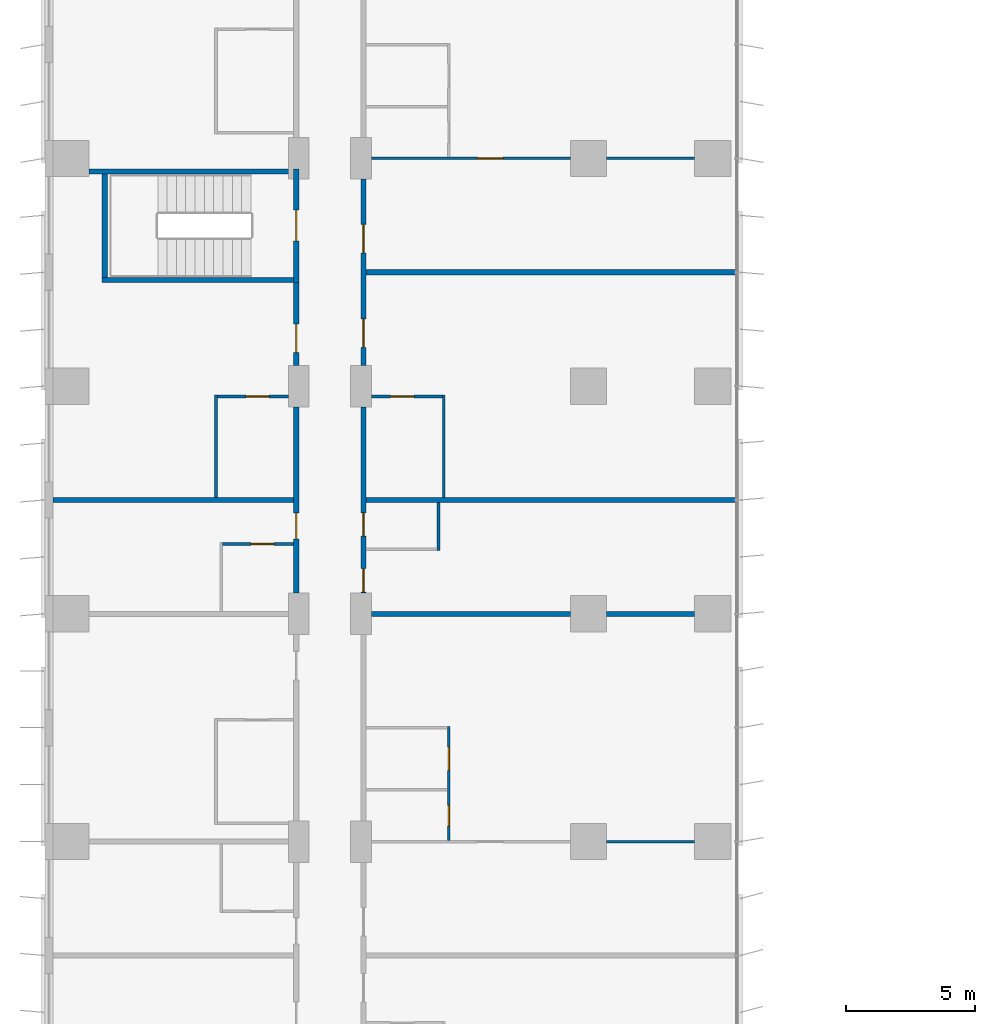
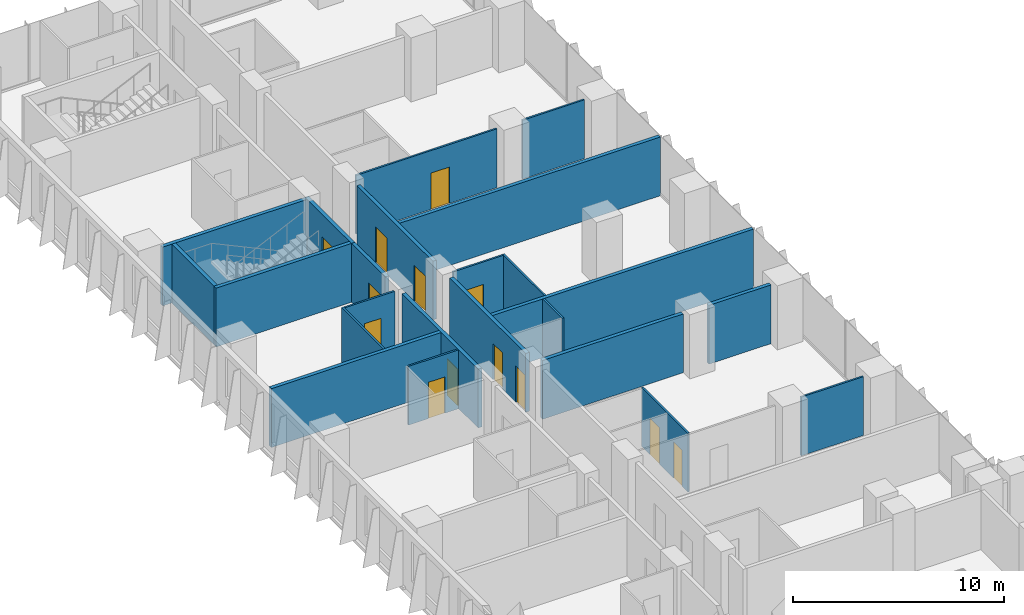
# One storey, part 17 of 24: 23 walls, 13 doors, 13 openings.
"""IFC4 building model written with IfcOpenShell, lengths in metres."""

from ifc_helpers import new_model, si_unit, direction, frame, frame_2d, origin, place, context, subcontext, project, spatial, rectangle, extrude, material, layer, layer_set, type_object, element, fill, save


model = new_model("IFC4")

# Units and contexts
model_context = context("Model", 3, precision=1e-05, world=origin(), true_north=direction((0.0, 1.0)))
body_context = subcontext(model_context, "Body", "Model", "MODEL_VIEW")
ifc_project = project(units=[si_unit("LENGTHUNIT", "METRE"), si_unit("AREAUNIT", "SQUARE_METRE"), si_unit("VOLUMEUNIT", "CUBIC_METRE"), si_unit("PLANEANGLEUNIT", "RADIAN"), si_unit("MASSUNIT", "GRAM", prefix="KILO")], contexts=[model_context])

# Site, building, storey
site_placement = place(None, origin())
site = spatial("IfcSite", under=ifc_project, at=site_placement, CompositionType="ELEMENT")
building_placement = place(site_placement, origin())
building = spatial("IfcBuilding", under=site, at=building_placement, Name="Kemantara Hotel Tower", CompositionType="ELEMENT")
storey_placement = place(building_placement, frame((0.0, 0.0, 45.10009765625)))
storey = spatial("IfcBuildingStorey", under=building, at=storey_placement, Name="L09", CompositionType="ELEMENT", Elevation=45.10009765625)

# Wall, opening, door
ifc_material_1 = material(Name="Gypsum board partition, steel studs and mineral wool, 200 mm", Category="steel")
ifc_layer_1 = layer(ifc_material_1, 0.199951171875)
ifc_layer_set_1 = layer_set([ifc_layer_1], Name="Gypsum board partition, steel studs and mineral wool, 200 mm")
wall_type_1 = type_object("IfcWallType", Name="CORRIDOR WALL 200", PredefinedType="PARTITIONING", material=ifc_layer_set_1)
wall_1_placement = place(storey_placement, frame((9.699951171875, 45.800048828125, 0.0), z_axis=(0.0, 0.0, 1.0), x_axis=(0.0, 1.0, 0.0)))
wall_1 = element("IfcWall", 1, at=wall_1_placement, inside=storey, type_object=wall_type_1, Name="CORRIDOR WALL 200 029", PredefinedType="PARTITIONING", context=body_context, shape_type="SweptSolid", body=[
    extrude(rectangle(XDim=7.199951171875, YDim=0.199951171875, at=frame_2d((3.60009765625, 0.0))), origin(), (0.0, 0.0, 1.0), 3.39990234375),
])
opening_1_placement = place(wall_1_placement, frame((2.099853515625, 0.0, 0.0)))
opening_1 = element("IfcOpeningElement", 2, at=opening_1_placement, cuts=wall_1, Name="Opening F02-037", PredefinedType="OPENING", context=body_context, shape_type="SweptSolid", body=[
    extrude(rectangle(XDim=1.0, YDim=2.10009765625, at=frame_2d((0.5, 1.050048828125))), frame((0.0, 0.10986328125, 0.0), z_axis=(0.0, -1.0, 0.0), x_axis=(1.0, 0.0, 0.0)), (0.0, 0.0, 1.0), 0.219970703125),
])
ifc_material_2 = material(Name="Hardwood veneer door leaf with steel frame", Category="steel")
door_type_1 = type_object("IfcDoorType", Name="GUEST ROOM DOOR 1000 X 2100 FD30S", OperationType="NOTDEFINED", PredefinedType="DOOR", material=ifc_material_2)
door_1_placement = place(opening_1_placement, origin())
door_1 = element("IfcDoor", 3, at=door_1_placement, inside=storey, type_object=door_type_1, Name="GUEST ROOM DOOR F02-037", OperationType="SINGLE_SWING_RIGHT", OverallHeight=2.10009765625, OverallWidth=1.0, PredefinedType="DOOR", context=body_context, shape_type="SweptSolid", body=[
    extrude(rectangle(XDim=1.0, YDim=2.10009765625, at=frame_2d((0.5, 1.050048828125))), frame((0.0, 0.02490234375, 0.0), z_axis=(0.0, -1.0, 0.0), x_axis=(1.0, 0.0, 0.0)), (0.0, 0.0, 1.0), 0.050048828125),
])
fill(opening_1, door_1)

wall_2_placement = place(storey_placement, frame((9.699951171875, 54.60009765625, 0.0), z_axis=(0.0, 0.0, 1.0), x_axis=(0.0, 1.0, 0.0)))
wall_2 = element("IfcWall", 4, at=wall_2_placement, inside=storey, type_object=wall_type_1, Name="CORRIDOR WALL 200 030", PredefinedType="PARTITIONING", context=body_context, shape_type="SweptSolid", body=[
    extrude(rectangle(XDim=3.199951171875, YDim=0.199951171875, at=frame_2d((1.60009765625, 0.0))), origin(), (0.0, 0.0, 1.0), 3.39990234375),
])
opening_2_placement = place(wall_2_placement, frame((0.5, 0.0, 0.0)))
opening_2 = element("IfcOpeningElement", 5, at=opening_2_placement, cuts=wall_2, Name="Opening F02-039", PredefinedType="OPENING", context=body_context, shape_type="SweptSolid", body=[
    extrude(rectangle(XDim=1.10009765625, YDim=2.10009765625, at=frame_2d((0.550048828125, 1.050048828125))), frame((0.0, 0.10986328125, 0.0), z_axis=(0.0, -1.0, 0.0), x_axis=(1.0, 0.0, 0.0)), (0.0, 0.0, 1.0), 0.219970703125),
])
door_type_2 = type_object("IfcDoorType", Name="SUITE ENTRANCE DOOR 1100 X 2100 FD30S", OperationType="NOTDEFINED", PredefinedType="DOOR", material=ifc_material_2)
door_2_placement = place(opening_2_placement, origin())
door_2 = element("IfcDoor", 6, at=door_2_placement, inside=storey, type_object=door_type_2, Name="SUITE ENTRANCE DOOR F02-039", OperationType="SINGLE_SWING_RIGHT", OverallHeight=2.10009765625, OverallWidth=1.10009765625, PredefinedType="DOOR", context=body_context, shape_type="SweptSolid", body=[
    extrude(rectangle(XDim=1.10009765625, YDim=2.10009765625, at=frame_2d((0.550048828125, 1.050048828125))), frame((0.0, 0.02490234375, 0.0), z_axis=(0.0, -1.0, 0.0), x_axis=(1.0, 0.0, 0.0)), (0.0, 0.0, 1.0), 0.050048828125),
])
fill(opening_2, door_2)

# Wall, openings, doors
wall_3_placement = place(storey_placement, frame((12.300048828125, 53.0, 0.0), z_axis=(0.0, 0.0, 1.0), x_axis=(0.0, -1.0, 0.0)))
wall_3 = element("IfcWall", 7, at=wall_3_placement, inside=storey, type_object=wall_type_1, Name="CORRIDOR WALL 200 046", PredefinedType="PARTITIONING", context=body_context, shape_type="SweptSolid", body=[
    extrude(rectangle(XDim=7.199951171875, YDim=0.199951171875, at=frame_2d((3.60009765625, 0.0))), origin(), (0.0, 0.0, 1.0), 3.39990234375),
])
opening_3_placement = place(wall_3_placement, frame((6.25, 0.0, 0.0)))
opening_3 = element("IfcOpeningElement", 8, at=opening_3_placement, cuts=wall_3, Name="Opening F02-051", PredefinedType="OPENING", context=body_context, shape_type="SweptSolid", body=[
    extrude(rectangle(XDim=0.89990234375, YDim=2.10009765625, at=frame_2d((0.449951171875, 1.050048828125))), frame((0.0, 0.10986328125, 0.0), z_axis=(0.0, -1.0, 0.0), x_axis=(1.0, 0.0, 0.0)), (0.0, 0.0, 1.0), 0.219970703125),
])
opening_4_placement = place(wall_3_placement, frame((4.099853515625, 0.0, 0.0)))
opening_4 = element("IfcOpeningElement", 9, at=opening_4_placement, cuts=wall_3, Name="Opening F02-052", PredefinedType="OPENING", context=body_context, shape_type="SweptSolid", body=[
    extrude(rectangle(XDim=0.89990234375, YDim=2.10009765625, at=frame_2d((0.449951171875, 1.050048828125))), frame((0.0, 0.10986328125, 0.0), z_axis=(0.0, -1.0, 0.0), x_axis=(1.0, 0.0, 0.0)), (0.0, 0.0, 1.0), 0.219970703125),
])
ifc_material_3 = material(Name="Steel door leaf with steel frame", Category="steel")
door_type_3 = type_object("IfcDoorType", Name="SERVICE ROOM DOOR 900 X 2100 FD60", OperationType="NOTDEFINED", PredefinedType="DOOR", material=ifc_material_3)
door_3_placement = place(opening_3_placement, origin())
door_3 = element("IfcDoor", 10, at=door_3_placement, inside=storey, type_object=door_type_3, Name="SERVICE ROOM DOOR F02-051", OperationType="SINGLE_SWING_RIGHT", OverallHeight=2.10009765625, OverallWidth=0.89990234375, PredefinedType="DOOR", context=body_context, shape_type="SweptSolid", body=[
    extrude(rectangle(XDim=0.89990234375, YDim=2.10009765625, at=frame_2d((0.449951171875, 1.050048828125))), frame((0.0, 0.02490234375, 0.0), z_axis=(0.0, -1.0, 0.0), x_axis=(1.0, 0.0, 0.0)), (0.0, 0.0, 1.0), 0.050048828125),
])
fill(opening_3, door_3)
door_4_placement = place(opening_4_placement, origin())
door_4 = element("IfcDoor", 11, at=door_4_placement, inside=storey, type_object=door_type_3, Name="SERVICE ROOM DOOR F02-052", OperationType="SINGLE_SWING_LEFT", OverallHeight=2.10009765625, OverallWidth=0.89990234375, PredefinedType="DOOR", context=body_context, shape_type="SweptSolid", body=[
    extrude(rectangle(XDim=0.89990234375, YDim=2.10009765625, at=frame_2d((0.449951171875, 1.050048828125))), frame((0.0, 0.02490234375, 0.0), z_axis=(0.0, -1.0, 0.0), x_axis=(1.0, 0.0, 0.0)), (0.0, 0.0, 1.0), 0.050048828125),
])
fill(opening_4, door_4)

wall_4_placement = place(storey_placement, frame((12.300048828125, 61.7998046875, 0.0), z_axis=(0.0, 0.0, 1.0), x_axis=(0.0, -1.0, 0.0)))
wall_4 = element("IfcWall", 12, at=wall_4_placement, inside=storey, type_object=wall_type_1, Name="CORRIDOR WALL 200 047", PredefinedType="PARTITIONING", context=body_context, shape_type="SweptSolid", body=[
    extrude(rectangle(XDim=7.19970703125, YDim=0.199951171875, at=frame_2d((3.599853515625, 0.0))), origin(), (0.0, 0.0, 1.0), 3.39990234375),
])
opening_5_placement = place(wall_4_placement, frame((5.39990234375, 0.0, 0.0)))
opening_5 = element("IfcOpeningElement", 13, at=opening_5_placement, cuts=wall_4, Name="Opening F02-053", PredefinedType="OPENING", context=body_context, shape_type="SweptSolid", body=[
    extrude(rectangle(XDim=1.10009765625, YDim=2.10009765625, at=frame_2d((0.550048828125, 1.050048828125))), frame((0.0, 0.10986328125, 0.0), z_axis=(0.0, -1.0, 0.0), x_axis=(1.0, 0.0, 0.0)), (0.0, 0.0, 1.0), 0.219970703125),
])
opening_6_placement = place(wall_4_placement, frame((1.75, 0.0, 0.0)))
opening_6 = element("IfcOpeningElement", 14, at=opening_6_placement, cuts=wall_4, Name="Opening F02-055", PredefinedType="OPENING", context=body_context, shape_type="SweptSolid", body=[
    extrude(rectangle(XDim=1.10009765625, YDim=2.10009765625, at=frame_2d((0.550048828125, 1.050048828125))), frame((0.0, 0.10986328125, 0.0), z_axis=(0.0, -1.0, 0.0), x_axis=(1.0, 0.0, 0.0)), (0.0, 0.0, 1.0), 0.219970703125),
])
door_5_placement = place(opening_5_placement, origin())
door_5 = element("IfcDoor", 15, at=door_5_placement, inside=storey, type_object=door_type_2, Name="SUITE ENTRANCE DOOR F02-053", OperationType="SINGLE_SWING_LEFT", OverallHeight=2.10009765625, OverallWidth=1.10009765625, PredefinedType="DOOR", context=body_context, shape_type="SweptSolid", body=[
    extrude(rectangle(XDim=1.10009765625, YDim=2.10009765625, at=frame_2d((0.550048828125, 1.050048828125))), frame((0.0, 0.02490234375, 0.0), z_axis=(0.0, -1.0, 0.0), x_axis=(1.0, 0.0, 0.0)), (0.0, 0.0, 1.0), 0.050048828125),
])
fill(opening_5, door_5)
door_6_placement = place(opening_6_placement, origin())
door_6 = element("IfcDoor", 16, at=door_6_placement, inside=storey, type_object=door_type_2, Name="SUITE ENTRANCE DOOR F02-055", OperationType="SINGLE_SWING_RIGHT", OverallHeight=2.10009765625, OverallWidth=1.10009765625, PredefinedType="DOOR", context=body_context, shape_type="SweptSolid", body=[
    extrude(rectangle(XDim=1.10009765625, YDim=2.10009765625, at=frame_2d((0.550048828125, 1.050048828125))), frame((0.0, 0.02490234375, 0.0), z_axis=(0.0, -1.0, 0.0), x_axis=(1.0, 0.0, 0.0)), (0.0, 0.0, 1.0), 0.050048828125),
])
fill(opening_6, door_6)

# Wall, opening, door
ifc_material_4 = material(Name="Concrete fc 40 MPa", Category="concrete")
ifc_layer_2 = layer(ifc_material_4, 0.199951171875)
ifc_layer_set_2 = layer_set([ifc_layer_2], Name="Concrete fc 40 MPa")
wall_type_2 = type_object("IfcWallType", Name="Concrete stair wall 200 mm", PredefinedType="SHEAR", material=ifc_layer_set_2)
wall_5_placement = place(storey_placement, frame((9.699951171875, 57.800048828125, 0.0), z_axis=(0.0, 0.0, 1.0), x_axis=(0.0, 1.0, 0.0)))
wall_5 = element("IfcWall", 17, at=wall_5_placement, inside=storey, type_object=wall_type_2, Name="Stair ST4 enclosure wall with door", PredefinedType="SHEAR", context=body_context, shape_type="SweptSolid", body=[
    extrude(rectangle(XDim=4.39990234375, YDim=0.199951171875, at=frame_2d((2.199951171875, 0.0))), origin(), (0.0, 0.0, 1.0), 3.39990234375),
])
opening_7_placement = place(wall_5_placement, frame((1.60009765625, 0.0, 0.0)))
opening_7 = element("IfcOpeningElement", 18, at=opening_7_placement, cuts=wall_5, Name="Opening ST4-C", PredefinedType="OPENING", context=body_context, shape_type="SweptSolid", body=[
    extrude(rectangle(XDim=1.199951171875, YDim=2.10009765625, at=frame_2d((0.60009765625, 1.050048828125))), frame((0.0, 0.10986328125, 0.0), z_axis=(0.0, -1.0, 0.0), x_axis=(1.0, 0.0, 0.0)), (0.0, 0.0, 1.0), 0.219970703125),
])
ifc_material_5 = material(Name="Steel fire door", Category="steel")
door_type_4 = type_object("IfcDoorType", Name="Fire door FD90 1200 x 2100", OperationType="NOTDEFINED", PredefinedType="DOOR", material=ifc_material_5)
door_7_placement = place(opening_7_placement, origin())
door_7 = element("IfcDoor", 19, at=door_7_placement, inside=storey, type_object=door_type_4, Name="Stair ST4 door", OperationType="SINGLE_SWING_RIGHT", OverallHeight=2.10009765625, OverallWidth=1.199951171875, PredefinedType="DOOR", context=body_context, shape_type="SweptSolid", body=[
    extrude(rectangle(XDim=1.199951171875, YDim=2.10009765625, at=frame_2d((0.60009765625, 1.050048828125))), frame((0.0, 0.02490234375, 0.0), z_axis=(0.0, -1.0, 0.0), x_axis=(1.0, 0.0, 0.0)), (0.0, 0.0, 1.0), 0.050048828125),
])
fill(opening_7, door_7)

# Walls
wall_6_placement = place(storey_placement, frame((1.699951171875, 62.10009765625, 0.0), z_axis=(0.0, 0.0, 1.0), x_axis=(1.0, 0.0, 0.0)))
element("IfcWall", 20, at=wall_6_placement, inside=storey, type_object=wall_type_2, Name="Stair ST4 enclosure wall N", PredefinedType="SHEAR", context=body_context, shape_type="SweptSolid", body=[
    extrude(rectangle(XDim=7.900146484375, YDim=0.199951171875, at=frame_2d((3.9501953125, 0.0))), origin(), (0.0, 0.0, 1.0), 3.39990234375),
])
wall_7_placement = place(storey_placement, frame((2.199951171875, 57.89990234375, 0.0), z_axis=(0.0, 0.0, 1.0), x_axis=(1.0, 0.0, 0.0)))
element("IfcWall", 21, at=wall_7_placement, inside=storey, type_object=wall_type_2, Name="Stair ST4 enclosure wall S", PredefinedType="SHEAR", context=body_context, shape_type="SweptSolid", body=[
    extrude(rectangle(XDim=7.400146484375, YDim=0.199951171875, at=frame_2d((3.7001953125, 0.0))), origin(), (0.0, 0.0, 1.0), 3.39990234375),
])
wall_8_placement = place(storey_placement, frame((2.300048828125, 58.0, 0.0), z_axis=(0.0, 0.0, 1.0), x_axis=(0.0, 1.0, 0.0)))
element("IfcWall", 22, at=wall_8_placement, inside=storey, type_object=wall_type_2, Name="Stair ST4 enclosure wall W", PredefinedType="SHEAR", context=body_context, shape_type="SweptSolid", body=[
    extrude(rectangle(XDim=4.0, YDim=0.199951171875, at=frame_2d((2.0, 0.0))), origin(), (0.0, 0.0, 1.0), 3.39990234375),
])
ifc_layer_3 = layer(ifc_material_1, 0.199951171875)
ifc_layer_set_3 = layer_set([ifc_layer_3], Name="Gypsum board partition, steel studs and mineral wool, 200 mm")
wall_type_3 = type_object("IfcWallType", Name="GUEST ROOM PARTY WALL 200", PredefinedType="PARTITIONING", material=ifc_layer_set_3)
wall_9_placement = place(storey_placement, frame((12.60009765625, 45.0, 0.0), z_axis=(0.0, 0.0, 1.0), x_axis=(1.0, 0.0, 0.0)))
element("IfcWall", 23, at=wall_9_placement, inside=storey, type_object=wall_type_3, Name="GUEST ROOM PARTY WALL 200 039", PredefinedType="PARTITIONING", context=body_context, shape_type="SweptSolid", body=[
    extrude(rectangle(XDim=7.69970703125, YDim=0.199951171875, at=frame_2d((3.849853515625, 0.0))), origin(), (0.0, 0.0, 1.0), 3.39990234375),
])
wall_10_placement = place(storey_placement, frame((21.7001953125, 45.0, 0.0), z_axis=(0.0, 0.0, 1.0), x_axis=(1.0, 0.0, 0.0)))
element("IfcWall", 24, at=wall_10_placement, inside=storey, type_object=wall_type_3, Name="GUEST ROOM PARTY WALL 200 040", PredefinedType="PARTITIONING", context=body_context, shape_type="SweptSolid", body=[
    extrude(rectangle(XDim=3.399658203125, YDim=0.199951171875, at=frame_2d((1.69970703125, 0.0))), origin(), (0.0, 0.0, 1.0), 3.39990234375),
])
wall_11_placement = place(storey_placement, frame((0.31005859375, 49.39990234375, 0.0), z_axis=(0.0, 0.0, 1.0), x_axis=(1.0, 0.0, 0.0)))
element("IfcWall", 25, at=wall_11_placement, inside=storey, type_object=wall_type_3, Name="GUEST ROOM PARTY WALL 200 041", PredefinedType="PARTITIONING", context=body_context, shape_type="SweptSolid", body=[
    extrude(rectangle(XDim=9.2900390625, YDim=0.199951171875, at=frame_2d((4.64501953125, 0.0))), origin(), (0.0, 0.0, 1.0), 3.39990234375),
])
for number, where, z_axis, x_axis, name in (
    (26, (12.39990234375, 49.39990234375, 0.0), (0.0, 0.0, 1.0), (1.0, 0.0, 0.0), "GUEST ROOM PARTY WALL 200 042"),
    (27, (12.39990234375, 58.199951171875, 0.0), (0.0, 0.0, 1.0), (1.0, 0.0, 0.0), "GUEST ROOM PARTY WALL 200 053"),
):
    element("IfcWall", number, at=place(storey_placement, frame(where, z_axis=z_axis, x_axis=x_axis)), inside=storey, type_object=wall_type_3, Name=name, PredefinedType="PARTITIONING", context=body_context, shape_type="SweptSolid", body=[
        extrude(rectangle(XDim=14.27001953125, YDim=0.199951171875, at=frame_2d((7.135009765625, 0.0))), origin(), (0.0, 0.0, 1.0), 3.39990234375),
    ])
ifc_material_6 = material(Name="Gypsum board partition on steel studs, 100 mm", Category="steel")
ifc_layer_4 = layer(ifc_material_6, 0.10009765625)
ifc_layer_set_4 = layer_set([ifc_layer_4], Name="Gypsum board partition on steel studs, 100 mm")
wall_type_4 = type_object("IfcWallType", Name="ROOM PARTITION 100", PredefinedType="PARTITIONING", material=ifc_layer_set_4)
wall_12_placement = place(storey_placement, frame((6.60009765625, 49.5, 0.0), z_axis=(0.0, 0.0, 1.0), x_axis=(0.0, 1.0, 0.0)))
element("IfcWall", 28, at=wall_12_placement, inside=storey, type_object=wall_type_4, Name="ROOM PARTITION 100 094", PredefinedType="PARTITIONING", context=body_context, shape_type="SweptSolid", body=[
    extrude(rectangle(XDim=3.949951171875, YDim=0.10009765625, at=frame_2d((1.97509765625, 0.0))), origin(), (0.0, 0.0, 1.0), 3.39990234375),
])

# Wall, opening, door
wall_13_placement = place(storey_placement, frame((9.60009765625, 47.699951171875, 0.0), z_axis=(0.0, 0.0, 1.0), x_axis=(-1.0, 0.0, 0.0)))
wall_13 = element("IfcWall", 29, at=wall_13_placement, inside=storey, type_object=wall_type_4, Name="ROOM PARTITION 100 103", PredefinedType="PARTITIONING", context=body_context, shape_type="SweptSolid", body=[
    extrude(rectangle(XDim=2.75, YDim=0.10009765625, at=frame_2d((1.375, 0.0))), origin(), (0.0, 0.0, 1.0), 3.39990234375),
])
opening_8_placement = place(wall_13_placement, frame((0.75, 0.0, 0.0)))
opening_8 = element("IfcOpeningElement", 30, at=opening_8_placement, cuts=wall_13, Name="Opening F02-038", PredefinedType="OPENING", context=body_context, shape_type="SweptSolid", body=[
    extrude(rectangle(XDim=0.89990234375, YDim=2.10009765625, at=frame_2d((0.449951171875, 1.050048828125))), frame((0.0, 0.06005859375, 0.0), z_axis=(0.0, -1.0, 0.0), x_axis=(1.0, 0.0, 0.0)), (0.0, 0.0, 1.0), 0.1201171875),
])
door_type_5 = type_object("IfcDoorType", Name="BATHROOM DOOR 900 X 2100", OperationType="NOTDEFINED", PredefinedType="DOOR", material=ifc_material_2)
door_8_placement = place(opening_8_placement, origin())
door_8 = element("IfcDoor", 31, at=door_8_placement, inside=storey, type_object=door_type_5, Name="BATHROOM DOOR F02-038", OperationType="SINGLE_SWING_LEFT", OverallHeight=2.10009765625, OverallWidth=0.89990234375, PredefinedType="DOOR", context=body_context, shape_type="SweptSolid", body=[
    extrude(rectangle(XDim=0.89990234375, YDim=2.10009765625, at=frame_2d((0.449951171875, 1.050048828125))), frame((0.0, 0.02490234375, 0.0), z_axis=(0.0, -1.0, 0.0), x_axis=(1.0, 0.0, 0.0)), (0.0, 0.0, 1.0), 0.050048828125),
])
fill(opening_8, door_8)

wall_14_placement = place(storey_placement, frame((9.39990234375, 53.39990234375, 0.0), z_axis=(0.0, 0.0, 1.0), x_axis=(-1.0, 0.0, 0.0)))
wall_14 = element("IfcWall", 32, at=wall_14_placement, inside=storey, type_object=wall_type_4, Name="ROOM PARTITION 100 104", PredefinedType="PARTITIONING", context=body_context, shape_type="SweptSolid", body=[
    extrude(rectangle(XDim=2.75, YDim=0.10009765625, at=frame_2d((1.375, 0.0))), origin(), (0.0, 0.0, 1.0), 3.39990234375),
])
opening_9_placement = place(wall_14_placement, frame((0.75, 0.0, 0.0)))
opening_9 = element("IfcOpeningElement", 33, at=opening_9_placement, cuts=wall_14, Name="Opening F02-040", PredefinedType="OPENING", context=body_context, shape_type="SweptSolid", body=[
    extrude(rectangle(XDim=0.89990234375, YDim=2.10009765625, at=frame_2d((0.449951171875, 1.050048828125))), frame((0.0, 0.06005859375, 0.0), z_axis=(0.0, -1.0, 0.0), x_axis=(1.0, 0.0, 0.0)), (0.0, 0.0, 1.0), 0.1201171875),
])
door_9_placement = place(opening_9_placement, origin())
door_9 = element("IfcDoor", 34, at=door_9_placement, inside=storey, type_object=door_type_5, Name="BATHROOM DOOR F02-040", OperationType="SINGLE_SWING_LEFT", OverallHeight=2.10009765625, OverallWidth=0.89990234375, PredefinedType="DOOR", context=body_context, shape_type="SweptSolid", body=[
    extrude(rectangle(XDim=0.89990234375, YDim=2.10009765625, at=frame_2d((0.449951171875, 1.050048828125))), frame((0.0, 0.02490234375, 0.0), z_axis=(0.0, -1.0, 0.0), x_axis=(1.0, 0.0, 0.0)), (0.0, 0.0, 1.0), 0.050048828125),
])
fill(opening_9, door_9)

wall_15_placement = place(storey_placement, frame((15.35009765625, 53.39990234375, 0.0), z_axis=(0.0, 0.0, 1.0), x_axis=(-1.0, 0.0, 0.0)))
wall_15 = element("IfcWall", 35, at=wall_15_placement, inside=storey, type_object=wall_type_4, Name="ROOM PARTITION 100 105", PredefinedType="PARTITIONING", context=body_context, shape_type="SweptSolid", body=[
    extrude(rectangle(XDim=2.75, YDim=0.10009765625, at=frame_2d((1.375, 0.0))), origin(), (0.0, 0.0, 1.0), 3.39990234375),
])
opening_10_placement = place(wall_15_placement, frame((1.10009765625, 0.0, 0.0)))
opening_10 = element("IfcOpeningElement", 36, at=opening_10_placement, cuts=wall_15, Name="Opening F02-054", PredefinedType="OPENING", context=body_context, shape_type="SweptSolid", body=[
    extrude(rectangle(XDim=0.89990234375, YDim=2.10009765625, at=frame_2d((0.449951171875, 1.050048828125))), frame((0.0, 0.06005859375, 0.0), z_axis=(0.0, -1.0, 0.0), x_axis=(1.0, 0.0, 0.0)), (0.0, 0.0, 1.0), 0.1201171875),
])
door_10_placement = place(opening_10_placement, origin())
door_10 = element("IfcDoor", 37, at=door_10_placement, inside=storey, type_object=door_type_5, Name="BATHROOM DOOR F02-054", OperationType="SINGLE_SWING_RIGHT", OverallHeight=2.10009765625, OverallWidth=0.89990234375, PredefinedType="DOOR", context=body_context, shape_type="SweptSolid", body=[
    extrude(rectangle(XDim=0.89990234375, YDim=2.10009765625, at=frame_2d((0.449951171875, 1.050048828125))), frame((0.0, 0.02490234375, 0.0), z_axis=(0.0, -1.0, 0.0), x_axis=(1.0, 0.0, 0.0)), (0.0, 0.0, 1.0), 0.050048828125),
])
fill(opening_10, door_10)

# Wall
wall_16_placement = place(storey_placement, frame((15.39990234375, 49.5, 0.0), z_axis=(0.0, 0.0, 1.0), x_axis=(0.0, 1.0, 0.0)))
element("IfcWall", 38, at=wall_16_placement, inside=storey, type_object=wall_type_4, Name="ROOM PARTITION 100 110", PredefinedType="PARTITIONING", context=body_context, shape_type="SweptSolid", body=[
    extrude(rectangle(XDim=3.949951171875, YDim=0.10009765625, at=frame_2d((1.97509765625, 0.0))), origin(), (0.0, 0.0, 1.0), 3.39990234375),
])

# Wall, openings, doors
wall_17_placement = place(storey_placement, frame((15.60009765625, 36.25, 0.0), z_axis=(0.0, 0.0, 1.0), x_axis=(0.0, 1.0, 0.0)))
wall_17 = element("IfcWall", 39, at=wall_17_placement, inside=storey, type_object=wall_type_4, Name="ROOM PARTITION 100 112", PredefinedType="PARTITIONING", context=body_context, shape_type="SweptSolid", body=[
    extrude(rectangle(XDim=4.39990234375, YDim=0.10009765625, at=frame_2d((2.199951171875, 0.0))), origin(), (0.0, 0.0, 1.0), 3.39990234375),
])
opening_11_placement = place(wall_17_placement, frame((2.699951171875, 0.0, 0.0)))
opening_11 = element("IfcOpeningElement", 40, at=opening_11_placement, cuts=wall_17, Name="Opening F02-049", PredefinedType="OPENING", context=body_context, shape_type="SweptSolid", body=[
    extrude(rectangle(XDim=0.89990234375, YDim=2.10009765625, at=frame_2d((0.449951171875, 1.050048828125))), frame((0.0, 0.06005859375, 0.0), z_axis=(0.0, -1.0, 0.0), x_axis=(1.0, 0.0, 0.0)), (0.0, 0.0, 1.0), 0.1201171875),
])
opening_12_placement = place(wall_17_placement, frame((0.550048828125, 0.0, 0.0)))
opening_12 = element("IfcOpeningElement", 41, at=opening_12_placement, cuts=wall_17, Name="Opening F02-050", PredefinedType="OPENING", context=body_context, shape_type="SweptSolid", body=[
    extrude(rectangle(XDim=0.800048828125, YDim=2.10009765625, at=frame_2d((0.39990234375, 1.050048828125))), frame((0.0, 0.06005859375, 0.0), z_axis=(0.0, -1.0, 0.0), x_axis=(1.0, 0.0, 0.0)), (0.0, 0.0, 1.0), 0.1201171875),
])
door_11_placement = place(opening_11_placement, origin())
door_11 = element("IfcDoor", 42, at=door_11_placement, inside=storey, type_object=door_type_5, Name="BATHROOM DOOR F02-049", OperationType="SINGLE_SWING_LEFT", OverallHeight=2.10009765625, OverallWidth=0.89990234375, PredefinedType="DOOR", context=body_context, shape_type="SweptSolid", body=[
    extrude(rectangle(XDim=0.89990234375, YDim=2.10009765625, at=frame_2d((0.449951171875, 1.050048828125))), frame((0.0, 0.02490234375, 0.0), z_axis=(0.0, -1.0, 0.0), x_axis=(1.0, 0.0, 0.0)), (0.0, 0.0, 1.0), 0.050048828125),
])
fill(opening_11, door_11)
door_type_6 = type_object("IfcDoorType", Name="WARDROBE DOOR 800 X 2100", OperationType="NOTDEFINED", PredefinedType="DOOR", material=ifc_material_2)
door_12_placement = place(opening_12_placement, origin())
door_12 = element("IfcDoor", 43, at=door_12_placement, inside=storey, type_object=door_type_6, Name="WARDROBE DOOR F02-050", OperationType="SINGLE_SWING_LEFT", OverallHeight=2.10009765625, OverallWidth=0.800048828125, PredefinedType="DOOR", context=body_context, shape_type="SweptSolid", body=[
    extrude(rectangle(XDim=0.800048828125, YDim=2.10009765625, at=frame_2d((0.39990234375, 1.050048828125))), frame((0.0, 0.02490234375, 0.0), z_axis=(0.0, -1.0, 0.0), x_axis=(1.0, 0.0, 0.0)), (0.0, 0.0, 1.0), 0.050048828125),
])
fill(opening_12, door_12)

# Walls
wall_18_placement = place(storey_placement, frame((21.7001953125, 36.199951171875, 0.0), z_axis=(0.0, 0.0, 1.0), x_axis=(1.0, 0.0, 0.0)))
element("IfcWall", 44, at=wall_18_placement, inside=storey, type_object=wall_type_4, Name="ROOM PARTITION 100 115", PredefinedType="PARTITIONING", context=body_context, shape_type="SweptSolid", body=[
    extrude(rectangle(XDim=3.399658203125, YDim=0.10009765625, at=frame_2d((1.69970703125, 0.0))), origin(), (0.0, 0.0, 1.0), 3.39990234375),
])
wall_19_placement = place(storey_placement, frame((15.199951171875, 47.449951171875, 0.0), z_axis=(0.0, 0.0, 1.0), x_axis=(0.0, 1.0, 0.0)))
element("IfcWall", 45, at=wall_19_placement, inside=storey, type_object=wall_type_4, Name="ROOM PARTITION 100 118", PredefinedType="PARTITIONING", context=body_context, shape_type="SweptSolid", body=[
    extrude(rectangle(XDim=1.85009765625, YDim=0.10009765625, at=frame_2d((0.925048828125, 0.0))), origin(), (0.0, 0.0, 1.0), 3.39990234375),
])

# Wall, opening, door
wall_20_placement = place(storey_placement, frame((12.60009765625, 62.60009765625, 0.0), z_axis=(0.0, 0.0, 1.0), x_axis=(1.0, 0.0, 0.0)))
wall_20 = element("IfcWall", 46, at=wall_20_placement, inside=storey, type_object=wall_type_4, Name="ROOM PARTITION 100 120", PredefinedType="PARTITIONING", context=body_context, shape_type="SweptSolid", body=[
    extrude(rectangle(XDim=7.69970703125, YDim=0.10009765625, at=frame_2d((3.849853515625, 0.0))), origin(), (0.0, 0.0, 1.0), 3.39990234375),
])
opening_13_placement = place(wall_20_placement, frame((4.099853515625, 0.0, 0.0)))
opening_13 = element("IfcOpeningElement", 47, at=opening_13_placement, cuts=wall_20, Name="Opening F02-056", PredefinedType="OPENING", context=body_context, shape_type="SweptSolid", body=[
    extrude(rectangle(XDim=1.0, YDim=2.10009765625, at=frame_2d((0.5, 1.050048828125))), frame((0.0, 0.06005859375, 0.0), z_axis=(0.0, -1.0, 0.0), x_axis=(1.0, 0.0, 0.0)), (0.0, 0.0, 1.0), 0.1201171875),
])
door_type_7 = type_object("IfcDoorType", Name="INTERNAL DOOR 1000 X 2100", OperationType="NOTDEFINED", PredefinedType="DOOR", material=ifc_material_2)
door_13_placement = place(opening_13_placement, origin())
door_13 = element("IfcDoor", 48, at=door_13_placement, inside=storey, type_object=door_type_7, Name="INTERNAL DOOR F02-056", OperationType="SINGLE_SWING_LEFT", OverallHeight=2.10009765625, OverallWidth=1.0, PredefinedType="DOOR", context=body_context, shape_type="SweptSolid", body=[
    extrude(rectangle(XDim=1.0, YDim=2.10009765625, at=frame_2d((0.5, 1.050048828125))), frame((0.0, 0.02490234375, 0.0), z_axis=(0.0, -1.0, 0.0), x_axis=(1.0, 0.0, 0.0)), (0.0, 0.0, 1.0), 0.050048828125),
])
fill(opening_13, door_13)

# Wall
wall_21_placement = place(storey_placement, frame((21.7001953125, 62.60009765625, 0.0), z_axis=(0.0, 0.0, 1.0), x_axis=(1.0, 0.0, 0.0)))
element("IfcWall", 49, at=wall_21_placement, inside=storey, type_object=wall_type_4, Name="ROOM PARTITION 100 121", PredefinedType="PARTITIONING", context=body_context, shape_type="SweptSolid", body=[
    extrude(rectangle(XDim=3.399658203125, YDim=0.10009765625, at=frame_2d((1.69970703125, 0.0))), origin(), (0.0, 0.0, 1.0), 3.39990234375),
])

save(model, "model.ifc")
